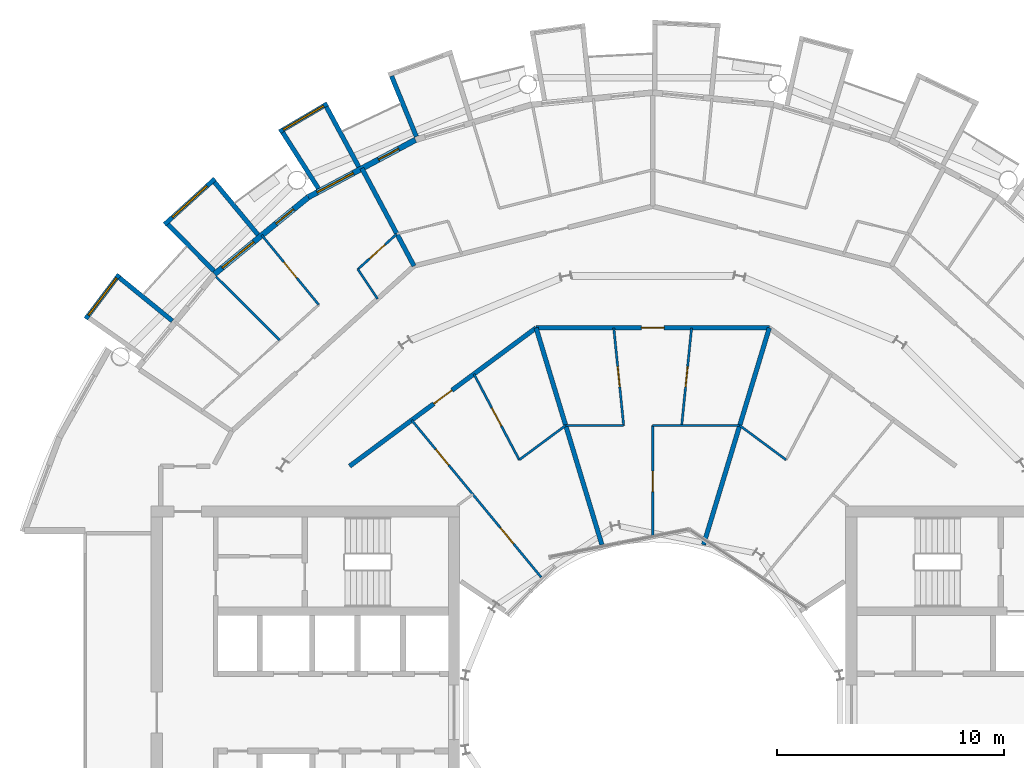
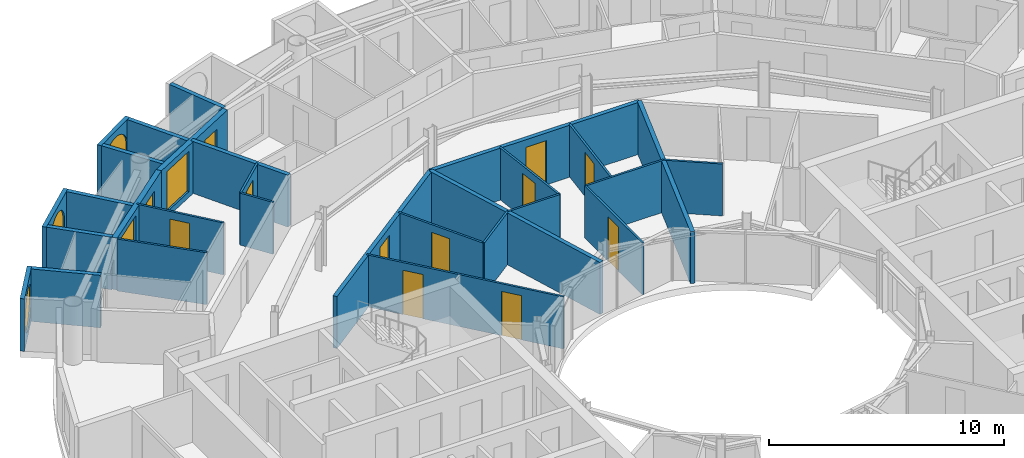
# One storey, part 20 of 26: 29 walls, 12 doors, 5 windows, 17 openings.
"""IFC4 building model written with IfcOpenShell, lengths in metres."""

from ifc_helpers import new_model, si_unit, direction, frame, frame_2d, origin, place, context, subcontext, project, spatial, rectangle, circle, extrude, material, layer, layer_set, type_object, element, fill, save


model = new_model("IFC4")

# Units and contexts
model_context = context("Model", 3, precision=1e-05, world=origin(), true_north=direction((0.0, 1.0)))
body_context = subcontext(model_context, "Body", "Model", "MODEL_VIEW")
ifc_project = project(units=[si_unit("LENGTHUNIT", "METRE"), si_unit("AREAUNIT", "SQUARE_METRE"), si_unit("VOLUMEUNIT", "CUBIC_METRE"), si_unit("PLANEANGLEUNIT", "RADIAN"), si_unit("MASSUNIT", "GRAM", prefix="KILO")], contexts=[model_context])

# Site, building, storey
site_placement = place(None, origin())
site = spatial("IfcSite", under=ifc_project, at=site_placement, CompositionType="ELEMENT")
building_placement = place(site_placement, origin())
building = spatial("IfcBuilding", under=site, at=building_placement, Name="Maasbend Ring Residences", CompositionType="ELEMENT")
storey_placement = place(building_placement, frame((0.0, 0.0, 154.35009765625)))
storey = spatial("IfcBuildingStorey", under=building, at=storey_placement, Name="L44", CompositionType="ELEMENT", Elevation=154.35009765625)

# Wall, opening, door
ifc_material_1 = material(Name="Concrete C30/37", Category="concrete")
ifc_layer_1 = layer(ifc_material_1, 0.199951171875)
ifc_layer_set_1 = layer_set([ifc_layer_1], Name="Concrete C30/37")
wall_type_1 = type_object("IfcWallType", Name="CORRIDOR WALL 200 CONCRETE", PredefinedType="PARTITIONING", material=ifc_layer_set_1)
wall_1_placement = place(storey_placement, frame((-13.34912109375, 10.847900390625, 0.0), z_axis=(0.0, 0.0, 1.0), x_axis=(0.803229232922, 0.595670042371, 0.0)))
wall_1 = element("IfcWall", 1, at=wall_1_placement, inside=storey, type_object=wall_type_1, Name="U-L44-w099", PredefinedType="PARTITIONING", context=body_context, shape_type="SweptSolid", body=[
    extrude(rectangle(XDim=10.223876953125, YDim=0.199951171875, at=frame_2d((5.11181640625, 0.0))), origin(), (0.0, 0.0, 1.0), 2.699951171875),
])
opening_1_placement = place(wall_1_placement, frame((4.612060546875, 0.0, 0.0)))
opening_1 = element("IfcOpeningElement", 2, at=opening_1_placement, cuts=wall_1, Name="Opening D-4429", PredefinedType="OPENING", context=body_context, shape_type="SweptSolid", body=[
    extrude(rectangle(XDim=1.0, YDim=2.300048828125, at=frame_2d((0.5, 1.14990234375))), frame((0.0, 0.10986328125, 0.0), z_axis=(0.0, -1.0, 0.0), x_axis=(1.0, 0.0, 0.0)), (0.0, 0.0, 1.0), 0.219970703125),
])
ifc_material_2 = material(Name="Timber, fire-rated, painted", Category="wood")
door_type_1 = type_object("IfcDoorType", Name="FLAT ENTRANCE DOOR 1000 X 2300 FIRE-RATED", OperationType="NOTDEFINED", PredefinedType="DOOR", material=ifc_material_2)
door_1_placement = place(opening_1_placement, origin())
door_1 = element("IfcDoor", 3, at=door_1_placement, inside=storey, type_object=door_type_1, Name="D-4429", OperationType="SINGLE_SWING_LEFT", OverallHeight=2.300048828125, OverallWidth=1.0, PredefinedType="DOOR", context=body_context, shape_type="SweptSolid", body=[
    extrude(rectangle(XDim=1.0, YDim=2.300048828125, at=frame_2d((0.5, 1.14990234375))), frame((0.0, 0.02490234375, 0.0), z_axis=(0.0, -1.0, 0.0), x_axis=(1.0, 0.0, 0.0)), (0.0, 0.0, 1.0), 0.050048828125),
])
fill(opening_1, door_1)

wall_2_placement = place(storey_placement, frame((-5.137939453125, 16.93798828125, 0.0), z_axis=(0.0, 0.0, 1.0), x_axis=(1.0, 0.0, 0.0)))
wall_2 = element("IfcWall", 4, at=wall_2_placement, inside=storey, type_object=wall_type_1, Name="U-L44-w101", PredefinedType="PARTITIONING", context=body_context, shape_type="SweptSolid", body=[
    extrude(rectangle(XDim=10.27587890625, YDim=0.199951171875, at=frame_2d((5.137939453125, 0.0))), origin(), (0.0, 0.0, 1.0), 2.699951171875),
])
opening_2_placement = place(wall_2_placement, frame((4.637939453125, 0.0, 0.0)))
opening_2 = element("IfcOpeningElement", 5, at=opening_2_placement, cuts=wall_2, Name="Opening D-4425", PredefinedType="OPENING", context=body_context, shape_type="SweptSolid", body=[
    extrude(rectangle(XDim=1.0, YDim=2.300048828125, at=frame_2d((0.5, 1.14990234375))), frame((0.0, 0.10986328125, 0.0), z_axis=(0.0, -1.0, 0.0), x_axis=(1.0, 0.0, 0.0)), (0.0, 0.0, 1.0), 0.219970703125),
])
door_2_placement = place(opening_2_placement, origin())
door_2 = element("IfcDoor", 6, at=door_2_placement, inside=storey, type_object=door_type_1, Name="D-4425", OperationType="SINGLE_SWING_LEFT", OverallHeight=2.300048828125, OverallWidth=1.0, PredefinedType="DOOR", context=body_context, shape_type="SweptSolid", body=[
    extrude(rectangle(XDim=1.0, YDim=2.300048828125, at=frame_2d((0.5, 1.14990234375))), frame((0.0, 0.02490234375, 0.0), z_axis=(0.0, -1.0, 0.0), x_axis=(1.0, 0.0, 0.0)), (0.0, 0.0, 1.0), 0.050048828125),
])
fill(opening_2, door_2)

# Wall
ifc_material_3 = material(Name="Pale anodised aluminium panel", Category="aluminium")
ifc_layer_2 = layer(ifc_material_3, 0.199951171875)
ifc_layer_set_2 = layer_set([ifc_layer_2], Name="EW-BOX")
wall_type_2 = type_object("IfcWallType", Name="EW-BOX", PredefinedType="SOLIDWALL", material=ifc_layer_set_2)
wall_3_placement = place(storey_placement, frame((-10.408935546875, 25.364013671875, -0.030029296875), z_axis=(0.0, 0.0, 1.0), x_axis=(-0.379509886562, 0.925187681501, 0.0)))
element("IfcWall", 7, at=wall_3_placement, inside=storey, type_object=wall_type_2, Name="Box side wall N14 right", PredefinedType="SOLIDWALL", context=body_context, shape_type="SweptSolid", body=[
    extrude(rectangle(XDim=2.882568359375, YDim=0.199951171875, at=frame_2d((1.44140625, 0.0))), origin(), (0.0, 0.0, 1.0), 2.72998046875),
])

# Wall, opening, window
wall_4_placement = place(storey_placement, frame((-14.326904296875, 26.81201171875, -0.030029296875), z_axis=(0.0, 0.0, 1.0), x_axis=(-0.862403467503, -0.506221551535, 0.0)))
wall_4 = element("IfcWall", 8, at=wall_4_placement, inside=storey, type_object=wall_type_2, Name="Box front N16", PredefinedType="SOLIDWALL", context=body_context, shape_type="SweptSolid", body=[
    extrude(rectangle(XDim=2.445556640625, YDim=0.199951171875, at=frame_2d((1.22265625, 0.0))), origin(), (0.0, 0.0, 1.0), 2.72998046875),
])
opening_3_placement = place(wall_4_placement, frame((0.182861328125, 0.0, 0.330078125)))
opening_3 = element("IfcOpeningElement", 9, at=opening_3_placement, cuts=wall_4, Name="Opening W-RD", PredefinedType="OPENING", context=body_context, shape_type="SweptSolid", body=[
    extrude(circle(Radius=1.0400390625, at=frame_2d((1.0400390625, 1.0400390625))), frame((0.0, 0.10986328125, 0.0), z_axis=(0.0, -1.0, 0.0), x_axis=(1.0, 0.0, 0.0)), (0.0, 0.0, 1.0), 0.219970703125),
])
ifc_material_4 = material(Name="Aluminium and clear glass", Category="aluminium")
window_type_1 = type_object("IfcWindowType", Name="W-RD", PartitioningType="SINGLE_PANEL", PredefinedType="WINDOW", material=ifc_material_4)
window_1_placement = place(opening_3_placement, origin())
window_1 = element("IfcWindow", 10, at=window_1_placement, inside=storey, type_object=window_type_1, Name="Round window N16", OverallHeight=2.080078125, OverallWidth=2.080078125, PartitioningType="SINGLE_PANEL", PredefinedType="WINDOW", context=body_context, shape_type="SweptSolid", body=[
    extrude(circle(Radius=1.0400390625, at=frame_2d((1.0400390625, 1.0400390625))), frame((0.0, 0.030029296875, 0.0), z_axis=(0.0, -1.0, 0.0), x_axis=(1.0, 0.0, 0.0)), (0.0, 0.0, 1.0), 0.06005859375),
])
fill(opening_3, window_1)

# Walls
wall_5_placement = place(storey_placement, frame((-12.945068359375, 24.029052734375, -0.030029296875), z_axis=(0.0, 0.0, 1.0), x_axis=(-0.474424310775, 0.88029629861, 0.0)))
element("IfcWall", 11, at=wall_5_placement, inside=storey, type_object=wall_type_2, Name="Box side wall N16 left", PredefinedType="SOLIDWALL", context=body_context, shape_type="SweptSolid", body=[
    extrude(rectangle(XDim=3.005859375, YDim=0.199951171875, at=frame_2d((1.5029296875, 0.0))), origin(), (0.0, 0.0, 1.0), 2.72998046875),
])
wall_6_placement = place(storey_placement, frame((-14.721923828125, 23.0791015625, -0.030029296875), z_axis=(0.0, 0.0, 1.0), x_axis=(-0.537572179146, 0.843217737129, 0.0)))
element("IfcWall", 12, at=wall_6_placement, inside=storey, type_object=wall_type_2, Name="Box side wall N16 right", PredefinedType="SOLIDWALL", context=body_context, shape_type="SweptSolid", body=[
    extrude(rectangle(XDim=2.92431640625, YDim=0.199951171875, at=frame_2d((1.462158203125, 0.0))), origin(), (0.0, 0.0, 1.0), 2.72998046875),
])

# Wall, opening, window
wall_7_placement = place(storey_placement, frame((-19.281982421875, 23.5029296875, -0.030029296875), z_axis=(0.0, 0.0, 1.0), x_axis=(-0.740998365753, -0.671506829416, 0.0)))
wall_7 = element("IfcWall", 13, at=wall_7_placement, inside=storey, type_object=wall_type_2, Name="Box front N18", PredefinedType="SOLIDWALL", context=body_context, shape_type="SweptSolid", body=[
    extrude(rectangle(XDim=2.9931640625, YDim=0.199951171875, at=frame_2d((1.49658203125, 0.0))), origin(), (0.0, 0.0, 1.0), 2.72998046875),
])
opening_4_placement = place(wall_7_placement, frame((0.45654296875, 0.0, 0.330078125)))
opening_4 = element("IfcOpeningElement", 14, at=opening_4_placement, cuts=wall_7, Name="Opening W-RD", PredefinedType="OPENING", context=body_context, shape_type="SweptSolid", body=[
    extrude(circle(Radius=1.0400390625, at=frame_2d((1.0400390625, 1.0400390625))), frame((0.0, 0.10986328125, 0.0), z_axis=(0.0, -1.0, 0.0), x_axis=(1.0, 0.0, 0.0)), (0.0, 0.0, 1.0), 0.219970703125),
])
window_2_placement = place(opening_4_placement, origin())
window_2 = element("IfcWindow", 15, at=window_2_placement, inside=storey, type_object=window_type_1, Name="Round window N18", OverallHeight=2.080078125, OverallWidth=2.080078125, PartitioningType="SINGLE_PANEL", PredefinedType="WINDOW", context=body_context, shape_type="SweptSolid", body=[
    extrude(circle(Radius=1.0400390625, at=frame_2d((1.0400390625, 1.0400390625))), frame((0.0, 0.030029296875, 0.0), z_axis=(0.0, -1.0, 0.0), x_axis=(1.0, 0.0, 0.0)), (0.0, 0.0, 1.0), 0.06005859375),
])
fill(opening_4, window_2)

# Walls
wall_8_placement = place(storey_placement, frame((-17.384033203125, 21.041015625, -0.030029296875), z_axis=(0.0, 0.0, 1.0), x_axis=(-0.63709551667, 0.770784861449, 0.0)))
element("IfcWall", 16, at=wall_8_placement, inside=storey, type_object=wall_type_2, Name="Box side wall N18 left", PredefinedType="SOLIDWALL", context=body_context, shape_type="SweptSolid", body=[
    extrude(rectangle(XDim=3.005859375, YDim=0.199951171875, at=frame_2d((1.5029296875, 0.0))), origin(), (0.0, 0.0, 1.0), 2.72998046875),
])
wall_9_placement = place(storey_placement, frame((-19.322998046875, 19.449951171875, -0.030029296875), z_axis=(0.0, 0.0, 1.0), x_axis=(-0.704476739375, 0.709727076896, 0.0)))
element("IfcWall", 17, at=wall_9_placement, inside=storey, type_object=wall_type_2, Name="Box side wall N18 right", PredefinedType="SOLIDWALL", context=body_context, shape_type="SweptSolid", body=[
    extrude(rectangle(XDim=2.883056640625, YDim=0.199951171875, at=frame_2d((1.44140625, 0.0))), origin(), (0.0, 0.0, 1.0), 2.72998046875),
])

# Wall, opening, window
wall_10_placement = place(storey_placement, frame((-23.4970703125, 19.2890625, -0.030029296875), z_axis=(0.0, 0.0, 1.0), x_axis=(-0.602806268067, -0.797887588059, 0.0)))
wall_10 = element("IfcWall", 18, at=wall_10_placement, inside=storey, type_object=wall_type_2, Name="Box front N20", PredefinedType="SOLIDWALL", context=body_context, shape_type="SweptSolid", body=[
    extrude(rectangle(XDim=2.446533203125, YDim=0.199951171875, at=frame_2d((1.22314453125, 0.0))), origin(), (0.0, 0.0, 1.0), 2.72998046875),
])
opening_5_placement = place(wall_10_placement, frame((0.182861328125, 0.0, 0.330078125)))
opening_5 = element("IfcOpeningElement", 19, at=opening_5_placement, cuts=wall_10, Name="Opening W-RD", PredefinedType="OPENING", context=body_context, shape_type="SweptSolid", body=[
    extrude(circle(Radius=1.0400390625, at=frame_2d((1.0400390625, 1.0400390625))), frame((0.0, 0.10986328125, 0.0), z_axis=(0.0, -1.0, 0.0), x_axis=(1.0, 0.0, 0.0)), (0.0, 0.0, 1.0), 0.219970703125),
])
window_3_placement = place(opening_5_placement, origin())
window_3 = element("IfcWindow", 20, at=window_3_placement, inside=storey, type_object=window_type_1, Name="Round window N20", OverallHeight=2.080078125, OverallWidth=2.080078125, PartitioningType="SINGLE_PANEL", PredefinedType="WINDOW", context=body_context, shape_type="SweptSolid", body=[
    extrude(circle(Radius=1.0400390625, at=frame_2d((1.0400390625, 1.0400390625))), frame((0.0, 0.030029296875, 0.0), z_axis=(0.0, -1.0, 0.0), x_axis=(1.0, 0.0, 0.0)), (0.0, 0.0, 1.0), 0.06005859375),
])
fill(opening_5, window_3)

# Wall
wall_11_placement = place(storey_placement, frame((-21.155029296875, 17.24609375, -0.030029296875), z_axis=(0.0, 0.0, 1.0), x_axis=(-0.775179004516, 0.631741648902, 0.0)))
element("IfcWall", 21, at=wall_11_placement, inside=storey, type_object=wall_type_2, Name="Box side wall N20 left", PredefinedType="SOLIDWALL", context=body_context, shape_type="SweptSolid", body=[
    extrude(rectangle(XDim=3.005859375, YDim=0.199951171875, at=frame_2d((1.5029296875, 0.0))), origin(), (0.0, 0.0, 1.0), 2.72998046875),
])

# Wall, openings, door, window
ifc_material_5 = material(Name="Aluminium clad insulated panel", Category="aluminium")
ifc_layer_3 = layer(ifc_material_5, 0.25)
ifc_layer_set_3 = layer_set([ifc_layer_3], Name="EW-GL")
wall_type_3 = type_object("IfcWallType", Name="EW-GL", PredefinedType="SOLIDWALL", material=ifc_layer_set_3)
wall_12_placement = place(storey_placement, frame((-10.447021484375, 25.221923828125, 0.0), z_axis=(0.0, 0.0, 1.0), x_axis=(-0.881915646801, -0.471407246368, 0.0)))
wall_12 = element("IfcWall", 22, at=wall_12_placement, inside=storey, type_object=wall_type_3, Name="External wall N08", PredefinedType="SOLIDWALL", context=body_context, shape_type="SweptSolid", body=[
    extrude(rectangle(XDim=5.35205078125, YDim=0.25, at=frame_2d((2.676025390625, 0.0))), origin(), (0.0, 0.0, 1.0), 2.699951171875),
])
opening_6_placement = place(wall_12_placement, frame((0.841064453125, 0.0, 0.0)))
opening_6 = element("IfcOpeningElement", 23, at=opening_6_placement, cuts=wall_12, Name="Opening D-LG", PredefinedType="OPENING", context=body_context, shape_type="SweptSolid", body=[
    extrude(rectangle(XDim=1.0, YDim=2.199951171875, at=frame_2d((0.5, 1.10009765625))), frame((0.0, 0.135009765625, 0.0), z_axis=(0.0, -1.0, 0.0), x_axis=(1.0, 0.0, 0.0)), (0.0, 0.0, 1.0), 0.27001953125),
])
opening_7_placement = place(wall_12_placement, frame((3.110595703125, 0.0, 0.300048828125)))
opening_7 = element("IfcOpeningElement", 24, at=opening_7_placement, cuts=wall_12, Name="Opening W-BX", PredefinedType="OPENING", context=body_context, shape_type="SweptSolid", body=[
    extrude(rectangle(XDim=1.800048828125, YDim=2.10009765625, at=frame_2d((0.89990234375, 1.050048828125))), frame((0.0, 0.135009765625, 0.0), z_axis=(0.0, -1.0, 0.0), x_axis=(1.0, 0.0, 0.0)), (0.0, 0.0, 1.0), 0.27001953125),
])
ifc_material_6 = material(Name="Aluminium and clear glass", Category="aluminium")
door_type_2 = type_object("IfcDoorType", Name="D-LG", OperationType="SINGLE_SWING_LEFT", PredefinedType="DOOR", material=ifc_material_6)
door_3_placement = place(opening_6_placement, origin())
door_3 = element("IfcDoor", 25, at=door_3_placement, inside=storey, type_object=door_type_2, Name="Loggia door N15", OperationType="SINGLE_SWING_LEFT", OverallHeight=2.199951171875, OverallWidth=1.0, PredefinedType="DOOR", context=body_context, shape_type="SweptSolid", body=[
    extrude(rectangle(XDim=1.0, YDim=2.199951171875, at=frame_2d((0.5, 1.10009765625))), frame((0.0, 0.02490234375, 0.0), z_axis=(0.0, -1.0, 0.0), x_axis=(1.0, 0.0, 0.0)), (0.0, 0.0, 1.0), 0.050048828125),
])
fill(opening_6, door_3)
ifc_material_7 = material(Name="Aluminium and clear glass", Category="aluminium")
window_type_2 = type_object("IfcWindowType", Name="W-BX", PartitioningType="DOUBLE_PANEL_VERTICAL", PredefinedType="WINDOW", material=ifc_material_7)
window_4_placement = place(opening_7_placement, origin())
window_4 = element("IfcWindow", 26, at=window_4_placement, inside=storey, type_object=window_type_2, Name="Window N16 room to box", OverallHeight=2.10009765625, OverallWidth=1.800048828125, PartitioningType="SINGLE_PANEL", PredefinedType="WINDOW", context=body_context, shape_type="SweptSolid", body=[
    extrude(rectangle(XDim=1.800048828125, YDim=2.10009765625, at=frame_2d((0.89990234375, 1.050048828125))), frame((0.0, 0.030029296875, 0.0), z_axis=(0.0, -1.0, 0.0), x_axis=(1.0, 0.0, 0.0)), (0.0, 0.0, 1.0), 0.06005859375),
])
fill(opening_7, window_4)

wall_13_placement = place(storey_placement, frame((-15.1669921875, 22.698974609375, 0.0), z_axis=(0.0, 0.0, 1.0), x_axis=(-0.773019449054, -0.634382322723, 0.0)))
wall_13 = element("IfcWall", 27, at=wall_13_placement, inside=storey, type_object=wall_type_3, Name="External wall N09", PredefinedType="SOLIDWALL", context=body_context, shape_type="SweptSolid", body=[
    extrude(rectangle(XDim=5.351806640625, YDim=0.25, at=frame_2d((2.67578125, 0.0))), origin(), (0.0, 0.0, 1.0), 2.699951171875),
])
opening_8_placement = place(wall_13_placement, frame((0.841064453125, 0.0, 0.0)))
opening_8 = element("IfcOpeningElement", 28, at=opening_8_placement, cuts=wall_13, Name="Opening D-LG", PredefinedType="OPENING", context=body_context, shape_type="SweptSolid", body=[
    extrude(rectangle(XDim=1.0, YDim=2.199951171875, at=frame_2d((0.5, 1.10009765625))), frame((0.0, 0.135009765625, 0.0), z_axis=(0.0, -1.0, 0.0), x_axis=(1.0, 0.0, 0.0)), (0.0, 0.0, 1.0), 0.27001953125),
])
opening_9_placement = place(wall_13_placement, frame((3.110595703125, 0.0, 0.300048828125)))
opening_9 = element("IfcOpeningElement", 29, at=opening_9_placement, cuts=wall_13, Name="Opening W-BX", PredefinedType="OPENING", context=body_context, shape_type="SweptSolid", body=[
    extrude(rectangle(XDim=1.800048828125, YDim=2.10009765625, at=frame_2d((0.89990234375, 1.050048828125))), frame((0.0, 0.135009765625, 0.0), z_axis=(0.0, -1.0, 0.0), x_axis=(1.0, 0.0, 0.0)), (0.0, 0.0, 1.0), 0.27001953125),
])
door_4_placement = place(opening_8_placement, origin())
door_4 = element("IfcDoor", 30, at=door_4_placement, inside=storey, type_object=door_type_2, Name="Loggia door N17", OperationType="SINGLE_SWING_LEFT", OverallHeight=2.199951171875, OverallWidth=1.0, PredefinedType="DOOR", context=body_context, shape_type="SweptSolid", body=[
    extrude(rectangle(XDim=1.0, YDim=2.199951171875, at=frame_2d((0.5, 1.10009765625))), frame((0.0, 0.02490234375, 0.0), z_axis=(0.0, -1.0, 0.0), x_axis=(1.0, 0.0, 0.0)), (0.0, 0.0, 1.0), 0.050048828125),
])
fill(opening_8, door_4)
window_5_placement = place(opening_9_placement, origin())
window_5 = element("IfcWindow", 31, at=window_5_placement, inside=storey, type_object=window_type_2, Name="Window N18 room to box", OverallHeight=2.10009765625, OverallWidth=1.800048828125, PartitioningType="SINGLE_PANEL", PredefinedType="WINDOW", context=body_context, shape_type="SweptSolid", body=[
    extrude(rectangle(XDim=1.800048828125, YDim=2.10009765625, at=frame_2d((0.89990234375, 1.050048828125))), frame((0.0, 0.030029296875, 0.0), z_axis=(0.0, -1.0, 0.0), x_axis=(1.0, 0.0, 0.0)), (0.0, 0.0, 1.0), 0.06005859375),
])
fill(opening_9, window_5)

# Walls
ifc_material_8 = material(Name="Gypsum board on steel studs", Category="steel")
ifc_layer_4 = layer(ifc_material_8, 0.10009765625)
ifc_layer_set_4 = layer_set([ifc_layer_4], Name="PARTITION 100 GYPSUM")
wall_type_4 = type_object("IfcWallType", Name="PARTITION 100 GYPSUM", PredefinedType="PARTITIONING", material=ifc_layer_set_4)
wall_14_placement = place(storey_placement, frame((-12.98388671875, 19.52099609375, 0.0), z_axis=(0.0, 0.0, 1.0), x_axis=(0.55373148684, -0.832695286694, 0.0)))
element("IfcWall", 32, at=wall_14_placement, inside=storey, type_object=wall_type_4, Name="U-L44-w030", PredefinedType="PARTITIONING", context=body_context, shape_type="SweptSolid", body=[
    extrude(rectangle(XDim=1.571044921875, YDim=0.10009765625, at=frame_2d((0.78564453125, 0.0))), origin(), (0.0, 0.0, 1.0), 2.699951171875),
])
wall_15_placement = place(storey_placement, frame((-19.23388671875, 19.197021484375, 0.0), z_axis=(0.0, 0.0, 1.0), x_axis=(0.707722727509, -0.706490297858, 0.0)))
element("IfcWall", 33, at=wall_15_placement, inside=storey, type_object=wall_type_4, Name="U-L44-w038", PredefinedType="PARTITIONING", context=body_context, shape_type="SweptSolid", body=[
    extrude(rectangle(XDim=3.9619140625, YDim=0.10009765625, at=frame_2d((1.98095703125, 0.0))), origin(), (0.0, 0.0, 1.0), 2.699951171875),
])

# Wall, opening, door
wall_16_placement = place(storey_placement, frame((-17.218994140625, 21.02294921875, 0.0), z_axis=(0.0, 0.0, 1.0), x_axis=(0.633590098448, -0.773668913133, 0.0)))
wall_16 = element("IfcWall", 34, at=wall_16_placement, inside=storey, type_object=wall_type_4, Name="U-L44-w040", PredefinedType="PARTITIONING", context=body_context, shape_type="SweptSolid", body=[
    extrude(rectangle(XDim=3.961669921875, YDim=0.10009765625, at=frame_2d((1.98095703125, 0.0))), origin(), (0.0, 0.0, 1.0), 2.699951171875),
])
opening_10_placement = place(wall_16_placement, frame((1.531005859375, 0.0, 0.0)))
opening_10 = element("IfcOpeningElement", 35, at=opening_10_placement, cuts=wall_16, Name="Opening D-4418", PredefinedType="OPENING", context=body_context, shape_type="SweptSolid", body=[
    extrude(rectangle(XDim=0.89990234375, YDim=2.300048828125, at=frame_2d((0.449951171875, 1.14990234375))), frame((0.0, 0.06005859375, 0.0), z_axis=(0.0, -1.0, 0.0), x_axis=(1.0, 0.0, 0.0)), (0.0, 0.0, 1.0), 0.1201171875),
])
ifc_material_9 = material(Name="Timber, painted", Category="wood")
door_type_3 = type_object("IfcDoorType", Name="INTERNAL DOOR 900 X 2300", OperationType="NOTDEFINED", PredefinedType="DOOR", material=ifc_material_9)
door_5_placement = place(opening_10_placement, origin())
door_5 = element("IfcDoor", 36, at=door_5_placement, inside=storey, type_object=door_type_3, Name="D-4418", OperationType="SINGLE_SWING_LEFT", OverallHeight=2.300048828125, OverallWidth=0.89990234375, PredefinedType="DOOR", context=body_context, shape_type="SweptSolid", body=[
    extrude(rectangle(XDim=0.89990234375, YDim=2.300048828125, at=frame_2d((0.449951171875, 1.14990234375))), frame((0.0, 0.02490234375, 0.0), z_axis=(0.0, -1.0, 0.0), x_axis=(1.0, 0.0, 0.0)), (0.0, 0.0, 1.0), 0.050048828125),
])
fill(opening_10, door_5)

# Wall, openings, doors
wall_17_placement = place(storey_placement, frame((-10.615966796875, 12.875, 0.0), z_axis=(0.0, 0.0, 1.0), x_axis=(0.636045954217, -0.771651180342, 0.0)))
wall_17 = element("IfcWall", 37, at=wall_17_placement, inside=storey, type_object=wall_type_4, Name="U-L44-w046", PredefinedType="PARTITIONING", context=body_context, shape_type="SweptSolid", body=[
    extrude(rectangle(XDim=8.9677734375, YDim=0.10009765625, at=frame_2d((4.48388671875, 0.0))), origin(), (0.0, 0.0, 1.0), 2.699951171875),
])
opening_11_placement = place(wall_17_placement, frame((1.6669921875, 0.0, 0.0)))
opening_11 = element("IfcOpeningElement", 38, at=opening_11_placement, cuts=wall_17, Name="Opening D-4431", PredefinedType="OPENING", context=body_context, shape_type="SweptSolid", body=[
    extrude(rectangle(XDim=0.89990234375, YDim=2.300048828125, at=frame_2d((0.449951171875, 1.14990234375))), frame((0.0, 0.06005859375, 0.0), z_axis=(0.0, -1.0, 0.0), x_axis=(1.0, 0.0, 0.0)), (0.0, 0.0, 1.0), 0.1201171875),
])
opening_12_placement = place(wall_17_placement, frame((6.15087890625, 0.0, 0.0)))
opening_12 = element("IfcOpeningElement", 39, at=opening_12_placement, cuts=wall_17, Name="Opening D-4432", PredefinedType="OPENING", context=body_context, shape_type="SweptSolid", body=[
    extrude(rectangle(XDim=0.89990234375, YDim=2.300048828125, at=frame_2d((0.449951171875, 1.14990234375))), frame((0.0, 0.06005859375, 0.0), z_axis=(0.0, -1.0, 0.0), x_axis=(1.0, 0.0, 0.0)), (0.0, 0.0, 1.0), 0.1201171875),
])
door_6_placement = place(opening_11_placement, origin())
door_6 = element("IfcDoor", 40, at=door_6_placement, inside=storey, type_object=door_type_3, Name="D-4431", OperationType="SINGLE_SWING_LEFT", OverallHeight=2.300048828125, OverallWidth=0.89990234375, PredefinedType="DOOR", context=body_context, shape_type="SweptSolid", body=[
    extrude(rectangle(XDim=0.89990234375, YDim=2.300048828125, at=frame_2d((0.449951171875, 1.14990234375))), frame((0.0, 0.02490234375, 0.0), z_axis=(0.0, -1.0, 0.0), x_axis=(1.0, 0.0, 0.0)), (0.0, 0.0, 1.0), 0.050048828125),
])
fill(opening_11, door_6)
door_7_placement = place(opening_12_placement, origin())
door_7 = element("IfcDoor", 41, at=door_7_placement, inside=storey, type_object=door_type_3, Name="D-4432", OperationType="SINGLE_SWING_RIGHT", OverallHeight=2.300048828125, OverallWidth=0.89990234375, PredefinedType="DOOR", context=body_context, shape_type="SweptSolid", body=[
    extrude(rectangle(XDim=0.89990234375, YDim=2.300048828125, at=frame_2d((0.449951171875, 1.14990234375))), frame((0.0, 0.02490234375, 0.0), z_axis=(0.0, -1.0, 0.0), x_axis=(1.0, 0.0, 0.0)), (0.0, 0.0, 1.0), 0.050048828125),
])
fill(opening_12, door_7)

# Wall, opening, door
wall_18_placement = place(storey_placement, frame((-7.875, 14.907958984375, 0.0), z_axis=(0.0, 0.0, 1.0), x_axis=(0.467030118529, -0.884241408432, 0.0)))
wall_18 = element("IfcWall", 42, at=wall_18_placement, inside=storey, type_object=wall_type_4, Name="U-L44-w052", PredefinedType="PARTITIONING", context=body_context, shape_type="SweptSolid", body=[
    extrude(rectangle(XDim=4.278076171875, YDim=0.10009765625, at=frame_2d((2.13916015625, 0.0))), origin(), (0.0, 0.0, 1.0), 2.699951171875),
])
opening_13_placement = place(wall_18_placement, frame((1.68896484375, 0.0, 0.0)))
opening_13 = element("IfcOpeningElement", 43, at=opening_13_placement, cuts=wall_18, Name="Opening D-4430", PredefinedType="OPENING", context=body_context, shape_type="SweptSolid", body=[
    extrude(rectangle(XDim=0.89990234375, YDim=2.300048828125, at=frame_2d((0.449951171875, 1.14990234375))), frame((0.0, 0.06005859375, 0.0), z_axis=(0.0, -1.0, 0.0), x_axis=(1.0, 0.0, 0.0)), (0.0, 0.0, 1.0), 0.1201171875),
])
door_8_placement = place(opening_13_placement, origin())
door_8 = element("IfcDoor", 44, at=door_8_placement, inside=storey, type_object=door_type_3, Name="D-4430", OperationType="SINGLE_SWING_RIGHT", OverallHeight=2.300048828125, OverallWidth=0.89990234375, PredefinedType="DOOR", context=body_context, shape_type="SweptSolid", body=[
    extrude(rectangle(XDim=0.89990234375, YDim=2.300048828125, at=frame_2d((0.449951171875, 1.14990234375))), frame((0.0, 0.02490234375, 0.0), z_axis=(0.0, -1.0, 0.0), x_axis=(1.0, 0.0, 0.0)), (0.0, 0.0, 1.0), 0.050048828125),
])
fill(opening_13, door_8)

wall_19_placement = place(storey_placement, frame((-1.712890625, 16.93798828125, 0.0), z_axis=(0.0, 0.0, 1.0), x_axis=(0.100650711003, -0.994921823248, 0.0)))
wall_19 = element("IfcWall", 45, at=wall_19_placement, inside=storey, type_object=wall_type_4, Name="U-L44-w058", PredefinedType="PARTITIONING", context=body_context, shape_type="SweptSolid", body=[
    extrude(rectangle(XDim=4.320068359375, YDim=0.10009765625, at=frame_2d((2.16015625, 0.0))), origin(), (0.0, 0.0, 1.0), 2.699951171875),
])
opening_14_placement = place(wall_19_placement, frame((1.7099609375, 0.0, 0.0)))
opening_14 = element("IfcOpeningElement", 46, at=opening_14_placement, cuts=wall_19, Name="Opening D-4426", PredefinedType="OPENING", context=body_context, shape_type="SweptSolid", body=[
    extrude(rectangle(XDim=0.89990234375, YDim=2.300048828125, at=frame_2d((0.449951171875, 1.14990234375))), frame((0.0, 0.06005859375, 0.0), z_axis=(0.0, -1.0, 0.0), x_axis=(1.0, 0.0, 0.0)), (0.0, 0.0, 1.0), 0.1201171875),
])
door_9_placement = place(opening_14_placement, origin())
door_9 = element("IfcDoor", 47, at=door_9_placement, inside=storey, type_object=door_type_3, Name="D-4426", OperationType="SINGLE_SWING_LEFT", OverallHeight=2.300048828125, OverallWidth=0.89990234375, PredefinedType="DOOR", context=body_context, shape_type="SweptSolid", body=[
    extrude(rectangle(XDim=0.89990234375, YDim=2.300048828125, at=frame_2d((0.449951171875, 1.14990234375))), frame((0.0, 0.02490234375, 0.0), z_axis=(0.0, -1.0, 0.0), x_axis=(1.0, 0.0, 0.0)), (0.0, 0.0, 1.0), 0.050048828125),
])
fill(opening_14, door_9)

wall_20_placement = place(storey_placement, frame((0.0, 7.719970703125, 0.0), z_axis=(0.0, 0.0, 1.0), x_axis=(0.0, 1.0, 0.0)))
wall_20 = element("IfcWall", 48, at=wall_20_placement, inside=storey, type_object=wall_type_4, Name="U-L44-w060", PredefinedType="PARTITIONING", context=body_context, shape_type="SweptSolid", body=[
    extrude(rectangle(XDim=4.919921875, YDim=0.10009765625, at=frame_2d((2.4599609375, 0.0))), origin(), (0.0, 0.0, 1.0), 2.699951171875),
])
opening_15_placement = place(wall_20_placement, frame((2.010009765625, 0.0, 0.0)))
opening_15 = element("IfcOpeningElement", 49, at=opening_15_placement, cuts=wall_20, Name="Opening D-4428", PredefinedType="OPENING", context=body_context, shape_type="SweptSolid", body=[
    extrude(rectangle(XDim=0.89990234375, YDim=2.300048828125, at=frame_2d((0.449951171875, 1.14990234375))), frame((0.0, 0.06005859375, 0.0), z_axis=(0.0, -1.0, 0.0), x_axis=(1.0, 0.0, 0.0)), (0.0, 0.0, 1.0), 0.1201171875),
])
door_10_placement = place(opening_15_placement, origin())
door_10 = element("IfcDoor", 50, at=door_10_placement, inside=storey, type_object=door_type_3, Name="D-4428", OperationType="SINGLE_SWING_RIGHT", OverallHeight=2.300048828125, OverallWidth=0.89990234375, PredefinedType="DOOR", context=body_context, shape_type="SweptSolid", body=[
    extrude(rectangle(XDim=0.89990234375, YDim=2.300048828125, at=frame_2d((0.449951171875, 1.14990234375))), frame((0.0, 0.02490234375, 0.0), z_axis=(0.0, -1.0, 0.0), x_axis=(1.0, 0.0, 0.0)), (0.0, 0.0, 1.0), 0.050048828125),
])
fill(opening_15, door_10)

wall_21_placement = place(storey_placement, frame((1.278076171875, 12.639892578125, 0.0), z_axis=(0.0, 0.0, 1.0), x_axis=(0.100650711003, 0.994921823248, 0.0)))
wall_21 = element("IfcWall", 51, at=wall_21_placement, inside=storey, type_object=wall_type_4, Name="U-L44-w063", PredefinedType="PARTITIONING", context=body_context, shape_type="SweptSolid", body=[
    extrude(rectangle(XDim=4.320068359375, YDim=0.10009765625, at=frame_2d((2.16015625, 0.0))), origin(), (0.0, 0.0, 1.0), 2.699951171875),
])
opening_16_placement = place(wall_21_placement, frame((1.7099609375, 0.0, 0.0)))
opening_16 = element("IfcOpeningElement", 52, at=opening_16_placement, cuts=wall_21, Name="Opening D-4427", PredefinedType="OPENING", context=body_context, shape_type="SweptSolid", body=[
    extrude(rectangle(XDim=0.89990234375, YDim=2.300048828125, at=frame_2d((0.449951171875, 1.14990234375))), frame((0.0, 0.06005859375, 0.0), z_axis=(0.0, -1.0, 0.0), x_axis=(1.0, 0.0, 0.0)), (0.0, 0.0, 1.0), 0.1201171875),
])
door_11_placement = place(opening_16_placement, origin())
door_11 = element("IfcDoor", 53, at=door_11_placement, inside=storey, type_object=door_type_3, Name="D-4427", OperationType="SINGLE_SWING_RIGHT", OverallHeight=2.300048828125, OverallWidth=0.89990234375, PredefinedType="DOOR", context=body_context, shape_type="SweptSolid", body=[
    extrude(rectangle(XDim=0.89990234375, YDim=2.300048828125, at=frame_2d((0.449951171875, 1.14990234375))), frame((0.0, 0.02490234375, 0.0), z_axis=(0.0, -1.0, 0.0), x_axis=(1.0, 0.0, 0.0)), (0.0, 0.0, 1.0), 0.050048828125),
])
fill(opening_16, door_11)

# Walls
for number, where, z_axis, x_axis, name in (
    (54, (-5.876953125, 11.125, 0.0), (0.0, 0.0, 1.0), (0.803259509791, 0.595629213463, 0.0), "U-L44-w094"),
    (55, (3.833984375, 12.639892578125, 0.0), (0.0, 0.0, 1.0), (0.803259509791, -0.595629213463, 0.0), "U-L44-w095"),
):
    element("IfcWall", number, at=place(storey_placement, frame(where, z_axis=z_axis, x_axis=x_axis)), inside=storey, type_object=wall_type_4, Name=name, PredefinedType="PARTITIONING", context=body_context, shape_type="SweptSolid", body=[
        extrude(rectangle(XDim=2.54345703125, YDim=0.10009765625, at=frame_2d((1.271728515625, 0.0))), origin(), (0.0, 0.0, 1.0), 2.699951171875),
    ])
wall_22_placement = place(storey_placement, frame((-3.833984375, 12.639892578125, 0.0), z_axis=(0.0, 0.0, 1.0), x_axis=(1.0, 0.0, 0.0)))
element("IfcWall", 56, at=wall_22_placement, inside=storey, type_object=wall_type_4, Name="U-L44-w097", PredefinedType="PARTITIONING", context=body_context, shape_type="SweptSolid", body=[
    extrude(rectangle(XDim=2.555908203125, YDim=0.10009765625, at=frame_2d((1.27783203125, 0.0))), origin(), (0.0, 0.0, 1.0), 2.699951171875),
])
wall_23_placement = place(storey_placement, frame((0.0, 12.639892578125, 0.0), z_axis=(0.0, 0.0, 1.0), x_axis=(1.0, 0.0, 0.0)))
element("IfcWall", 57, at=wall_23_placement, inside=storey, type_object=wall_type_4, Name="U-L44-w098", PredefinedType="PARTITIONING", context=body_context, shape_type="SweptSolid", body=[
    extrude(rectangle(XDim=3.833984375, YDim=0.10009765625, at=frame_2d((1.9169921875, 0.0))), origin(), (0.0, 0.0, 1.0), 2.699951171875),
])

# Wall, opening, door
wall_24_placement = place(storey_placement, frame((-12.992919921875, 19.512939453125, 0.0), z_axis=(0.0, 0.0, 1.0), x_axis=(0.74087097024, 0.671647381783, 0.0)))
wall_24 = element("IfcWall", 58, at=wall_24_placement, inside=storey, type_object=wall_type_4, Name="U-L44-w111", PredefinedType="PARTITIONING", context=body_context, shape_type="SweptSolid", body=[
    extrude(rectangle(XDim=2.32421875, YDim=0.10009765625, at=frame_2d((1.162109375, 0.0))), origin(), (0.0, 0.0, 1.0), 2.699951171875),
])
opening_17_placement = place(wall_24_placement, frame((0.718994140625, 0.0, 0.0)))
opening_17 = element("IfcOpeningElement", 59, at=opening_17_placement, cuts=wall_24, Name="Opening D-4417", PredefinedType="OPENING", context=body_context, shape_type="SweptSolid", body=[
    extrude(rectangle(XDim=0.89990234375, YDim=2.300048828125, at=frame_2d((0.449951171875, 1.14990234375))), frame((0.0, 0.06005859375, 0.0), z_axis=(0.0, -1.0, 0.0), x_axis=(1.0, 0.0, 0.0)), (0.0, 0.0, 1.0), 0.1201171875),
])
door_12_placement = place(opening_17_placement, origin())
door_12 = element("IfcDoor", 60, at=door_12_placement, inside=storey, type_object=door_type_3, Name="D-4417", OperationType="SINGLE_SWING_RIGHT", OverallHeight=2.300048828125, OverallWidth=0.89990234375, PredefinedType="DOOR", context=body_context, shape_type="SweptSolid", body=[
    extrude(rectangle(XDim=0.89990234375, YDim=2.300048828125, at=frame_2d((0.449951171875, 1.14990234375))), frame((0.0, 0.02490234375, 0.0), z_axis=(0.0, -1.0, 0.0), x_axis=(1.0, 0.0, 0.0)), (0.0, 0.0, 1.0), 0.050048828125),
])
fill(opening_17, door_12)

# Walls
ifc_material_10 = material(Name="Concrete C30/37", Category="concrete")
ifc_layer_5 = layer(ifc_material_10, 0.199951171875)
ifc_layer_set_5 = layer_set([ifc_layer_5], Name="Concrete C30/37")
wall_type_5 = type_object("IfcWallType", Name="PARTY WALL 200 CONCRETE", PredefinedType="PARTITIONING", material=ifc_layer_set_5)
wall_25_placement = place(storey_placement, frame((-12.80908203125, 23.966064453125, 0.0), z_axis=(0.0, 0.0, 1.0), x_axis=(0.471271812246, -0.881988026553, 0.0)))
element("IfcWall", 61, at=wall_25_placement, inside=storey, type_object=wall_type_5, Name="U-L44-w044", PredefinedType="PARTITIONING", context=body_context, shape_type="SweptSolid", body=[
    extrude(rectangle(XDim=4.874267578125, YDim=0.199951171875, at=frame_2d((2.43701171875, 0.0))), origin(), (0.0, 0.0, 1.0), 2.699951171875),
])
for number, where, z_axis, x_axis, name in (
    (62, (2.240966796875, 7.387939453125, 0.0), (0.0, 0.0, 1.0), (0.290284403441, 0.956940418793, 0.0), "U-L44-w067"),
    (63, (-5.134033203125, 16.93896484375, 0.0), (0.0, 0.0, 1.0), (0.290284403441, -0.956940418793, 0.0), "U-L44-w087"),
):
    element("IfcWall", number, at=place(storey_placement, frame(where, z_axis=z_axis, x_axis=x_axis)), inside=storey, type_object=wall_type_5, Name=name, PredefinedType="PARTITIONING", context=body_context, shape_type="SweptSolid", body=[
        extrude(rectangle(XDim=9.979736328125, YDim=0.199951171875, at=frame_2d((4.98974609375, 0.0))), origin(), (0.0, 0.0, 1.0), 2.699951171875),
    ])

save(model, "model.ifc")
